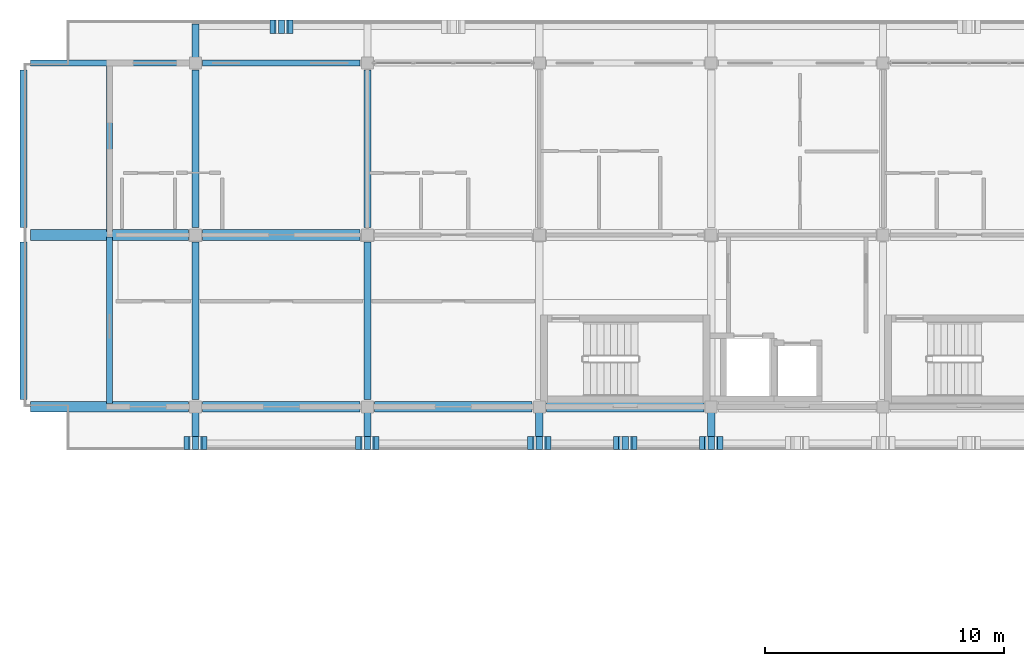
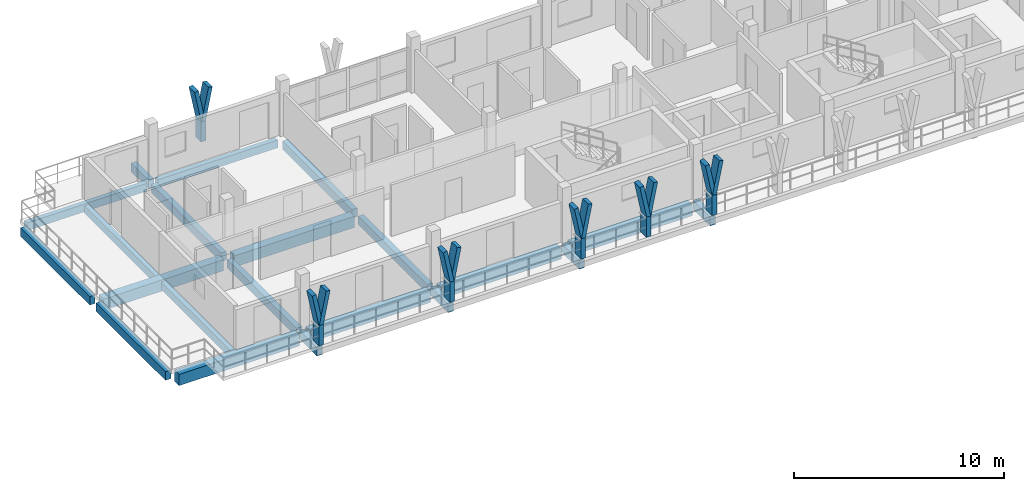
# One storey, part 6 of 45: 21 beams, 18 members.
"""IFC4 building model written with IfcOpenShell, lengths in metres."""

from ifc_helpers import new_model, si_unit, direction, frame, origin, origin_2d, place, context, subcontext, project, spatial, rectangle, extrude, material, material_profile, profile_set, type_object, element, save


model = new_model("IFC4")

# Units and contexts
model_context = context("Model", 3, precision=1e-05, world=origin(), true_north=direction((0.0, 1.0)))
body_context = subcontext(model_context, "Body", "Model", "MODEL_VIEW")
ifc_project = project(units=[si_unit("LENGTHUNIT", "METRE"), si_unit("AREAUNIT", "SQUARE_METRE"), si_unit("VOLUMEUNIT", "CUBIC_METRE"), si_unit("PLANEANGLEUNIT", "RADIAN"), si_unit("MASSUNIT", "GRAM", prefix="KILO")], contexts=[model_context])

# Site, building, storey
site_placement = place(None, origin())
site = spatial("IfcSite", under=ifc_project, at=site_placement, CompositionType="ELEMENT")
building_placement = place(site_placement, origin())
building = spatial("IfcBuilding", under=site, at=building_placement, Name="Suanplinth Sawtooth Commons", CompositionType="ELEMENT")
storey_placement = place(building_placement, frame((0.0, 0.0, 38.0)))
storey = spatial("IfcBuildingStorey", under=building, at=storey_placement, Name="L11", CompositionType="ELEMENT", Elevation=38.0)

# Beams
ifc_material_1 = material(Name="Precast concrete C40/50", Category="concrete")
ifc_material_profile_1 = material_profile(ifc_material_1, rectangle(XDim=0.449951171875, YDim=0.64990234375, at=origin_2d()), Name="PC-GDR 450x650")
ifc_profile_set_1 = profile_set([ifc_material_profile_1], Name="Precast concrete C40/50")
beam_type_1 = type_object("IfcBeamType", Name="B-04", PredefinedType="USERDEFINED", material=ifc_profile_set_1)
for number, where, z_axis, x_axis, name in (
    (1, (21.89990234375, 108.0, -0.56494140625), (1.0, 0.0, 0.0), (0.0, 1.0, 0.0), "BMX-L11-A-3-15"),
    (2, (21.89990234375, 115.199951171875, -0.56494140625), (1.0, 0.0, 0.0), (0.0, 1.0, 0.0), "BMX-L11-A-3-16"),
):
    element("IfcBeam", number, at=place(storey_placement, frame(where, z_axis=z_axis, x_axis=x_axis)), inside=storey, type_object=beam_type_1, Name=name, ObjectType="GIRDER", PredefinedType="USERDEFINED", context=body_context, shape_type="SweptSolid", body=[
        extrude(rectangle(XDim=0.449951171875, YDim=0.64990234375, at=origin_2d()), origin(), (0.0, 0.0, 1.0), 6.60009765625),
    ])
for number, where, z_axis, x_axis, name in (
    (3, (29.10009765625, 108.0, -0.56494140625), (1.0, 0.0, 0.0), (0.0, 1.0, 0.0), "BMX-L11-A-4-15"),
    (4, (29.10009765625, 115.199951171875, -0.56494140625), (1.0, 0.0, 0.0), (0.0, 1.0, 0.0), "BMX-L11-A-4-16"),
    (5, (36.300048828125, 108.0, -0.56494140625), (1.0, 0.0, 0.0), (0.0, 1.0, 0.0), "BMX-L11-A-5-15"),
):
    element("IfcBeam", number, at=place(storey_placement, frame(where, z_axis=z_axis, x_axis=x_axis)), inside=storey, type_object=beam_type_1, Name=name, ObjectType="GIRDER", PredefinedType="USERDEFINED", context=body_context, shape_type="SweptSolid", body=[
        extrude(rectangle(XDim=0.449951171875, YDim=0.64990234375, at=origin_2d()), origin(), (0.0, 0.0, 1.0), 6.599853515625),
    ])
beam_1_placement = place(storey_placement, frame((43.5, 108.0, -0.56494140625), z_axis=(1.0, 0.0, 0.0), x_axis=(0.0, 1.0, 0.0)))
element("IfcBeam", 6, at=beam_1_placement, inside=storey, type_object=beam_type_1, Name="BMX-L11-A-6-15", ObjectType="GIRDER", PredefinedType="USERDEFINED", context=body_context, shape_type="SweptSolid", body=[
    extrude(rectangle(XDim=0.449951171875, YDim=0.64990234375, at=origin_2d()), origin(), (0.0, 0.0, 1.0), 6.60009765625),
])
ifc_material_profile_2 = material_profile(ifc_material_1, rectangle(XDim=0.300048828125, YDim=0.5, at=origin_2d()), Name="PC-BM 300x500")
ifc_profile_set_2 = profile_set([ifc_material_profile_2], Name="Precast concrete C40/50")
beam_type_2 = type_object("IfcBeamType", Name="B-07", PredefinedType="BEAM", material=ifc_profile_set_2)
beam_2_placement = place(storey_placement, frame((21.60009765625, 108.300048828125, -0.489990234375), z_axis=(0.0, 1.0, 0.0), x_axis=(-1.0, 0.0, 0.0)))
element("IfcBeam", 7, at=beam_2_placement, inside=storey, type_object=beam_type_2, Name="BMY-L11-A-3-15", PredefinedType="BEAM", context=body_context, shape_type="SweptSolid", body=[
    extrude(rectangle(XDim=0.300048828125, YDim=0.5, at=origin_2d()), origin(), (0.0, 0.0, 1.0), 6.599853515625),
])
beam_3_placement = place(storey_placement, frame((21.60009765625, 115.5, -0.489990234375), z_axis=(0.0, 1.0, 0.0), x_axis=(-1.0, 0.0, 0.0)))
element("IfcBeam", 8, at=beam_3_placement, inside=storey, type_object=beam_type_2, Name="BMY-L11-A-3-16", PredefinedType="BEAM", context=body_context, shape_type="SweptSolid", body=[
    extrude(rectangle(XDim=0.300048828125, YDim=0.5, at=origin_2d()), origin(), (0.0, 0.0, 1.0), 6.60009765625),
])
beam_4_placement = place(storey_placement, frame((28.800048828125, 108.300048828125, -0.489990234375), z_axis=(0.0, 1.0, 0.0), x_axis=(-1.0, 0.0, 0.0)))
element("IfcBeam", 9, at=beam_4_placement, inside=storey, type_object=beam_type_2, Name="BMY-L11-A-4-15", PredefinedType="BEAM", context=body_context, shape_type="SweptSolid", body=[
    extrude(rectangle(XDim=0.300048828125, YDim=0.5, at=origin_2d()), origin(), (0.0, 0.0, 1.0), 6.599853515625),
])
beam_5_placement = place(storey_placement, frame((28.800048828125, 115.5, -0.489990234375), z_axis=(0.0, 1.0, 0.0), x_axis=(-1.0, 0.0, 0.0)))
element("IfcBeam", 10, at=beam_5_placement, inside=storey, type_object=beam_type_2, Name="BMY-L11-A-4-16", PredefinedType="BEAM", context=body_context, shape_type="SweptSolid", body=[
    extrude(rectangle(XDim=0.300048828125, YDim=0.5, at=origin_2d()), origin(), (0.0, 0.0, 1.0), 6.60009765625),
])
beam_6_placement = place(storey_placement, frame((36.0, 108.300048828125, -0.489990234375), z_axis=(0.0, 1.0, 0.0), x_axis=(-1.0, 0.0, 0.0)))
element("IfcBeam", 11, at=beam_6_placement, inside=storey, type_object=beam_type_2, Name="BMY-L11-A-5-15", PredefinedType="BEAM", context=body_context, shape_type="SweptSolid", body=[
    extrude(rectangle(XDim=0.300048828125, YDim=0.5, at=origin_2d()), origin(), (0.0, 0.0, 1.0), 6.599853515625),
])
beam_7_placement = place(storey_placement, frame((36.0, 115.5, -0.489990234375), z_axis=(0.0, 1.0, 0.0), x_axis=(-1.0, 0.0, 0.0)))
element("IfcBeam", 12, at=beam_7_placement, inside=storey, type_object=beam_type_2, Name="BMY-L11-A-5-16", PredefinedType="BEAM", context=body_context, shape_type="SweptSolid", body=[
    extrude(rectangle(XDim=0.300048828125, YDim=0.5, at=origin_2d()), origin(), (0.0, 0.0, 1.0), 6.60009765625),
])
beam_8_placement = place(storey_placement, frame((28.800048828125, 122.39990234375, -0.429931640625), z_axis=(0.0, 1.0, 0.0), x_axis=(-1.0, 0.0, 0.0)))
element("IfcBeam", 13, at=beam_8_placement, inside=storey, type_object=beam_type_2, Name="Balcony Outrigger L11-A-N-4", PredefinedType="BEAM", context=body_context, shape_type="SweptSolid", body=[
    extrude(rectangle(XDim=0.300048828125, YDim=0.5, at=origin_2d()), origin(), (0.0, 0.0, 1.0), 1.64013671875),
])
for number, where, z_axis, x_axis, name in (
    (14, (28.800048828125, 108.0, -0.429931640625), (0.0, -1.0, 0.0), (1.0, 0.0, 0.0), "Balcony Outrigger L11-A-S-4"),
    (15, (36.0, 108.0, -0.429931640625), (0.0, -1.0, 0.0), (1.0, 0.0, 0.0), "Balcony Outrigger L11-A-S-5"),
    (16, (43.199951171875, 108.0, -0.429931640625), (0.0, -1.0, 0.0), (1.0, 0.0, 0.0), "Balcony Outrigger L11-A-S-6"),
    (17, (50.39990234375, 108.0, -0.429931640625), (0.0, -1.0, 0.0), (1.0, 0.0, 0.0), "Balcony Outrigger L11-A-S-7"),
):
    element("IfcBeam", number, at=place(storey_placement, frame(where, z_axis=z_axis, x_axis=x_axis)), inside=storey, type_object=beam_type_2, Name=name, PredefinedType="BEAM", context=body_context, shape_type="SweptSolid", body=[
        extrude(rectangle(XDim=0.300048828125, YDim=0.5, at=origin_2d()), origin(), (0.0, 0.0, 1.0), 1.639892578125),
    ])
ifc_material_profile_3 = material_profile(ifc_material_1, rectangle(XDim=0.25, YDim=0.449951171875, at=origin_2d()), Name="PC-SP 250x450")
ifc_profile_set_3 = profile_set([ifc_material_profile_3], Name="Precast concrete C40/50")
beam_type_3 = type_object("IfcBeamType", Name="B-09", PredefinedType="SPANDREL", material=ifc_profile_set_3)
beam_9_placement = place(storey_placement, frame((21.89990234375, 122.39990234375, -0.465087890625), z_axis=(1.0, 0.0, 0.0), x_axis=(0.0, 1.0, 0.0)))
element("IfcBeam", 18, at=beam_9_placement, inside=storey, type_object=beam_type_3, Name="BMX-L11-A-3-17", PredefinedType="SPANDREL", context=body_context, shape_type="SweptSolid", body=[
    extrude(rectangle(XDim=0.25, YDim=0.449951171875, at=origin_2d()), origin(), (0.0, 0.0, 1.0), 6.60009765625),
])
beam_10_placement = place(storey_placement, frame((29.10009765625, 122.39990234375, -0.465087890625), z_axis=(1.0, 0.0, 0.0), x_axis=(0.0, 1.0, 0.0)))
element("IfcBeam", 19, at=beam_10_placement, inside=storey, type_object=beam_type_3, Name="BMX-L11-A-4-17", PredefinedType="SPANDREL", context=body_context, shape_type="SweptSolid", body=[
    extrude(rectangle(XDim=0.25, YDim=0.449951171875, at=origin_2d()), origin(), (0.0, 0.0, 1.0), 6.599853515625),
])
beam_11_placement = place(storey_placement, frame((25.199951171875, 108.139892578125, -0.56494140625), z_axis=(0.0, 1.0, 0.0), x_axis=(-1.0, 0.0, 0.0)))
element("IfcBeam", 20, at=beam_11_placement, inside=storey, type_object=beam_type_3, Name="BMY-L11-A-STEP-252-15", PredefinedType="SPANDREL", context=body_context, shape_type="SweptSolid", body=[
    extrude(rectangle(XDim=0.25, YDim=0.449951171875, at=origin_2d()), origin(), (0.0, 0.0, 1.0), 6.980224609375),
])
beam_12_placement = place(storey_placement, frame((25.199951171875, 115.340087890625, -0.56494140625), z_axis=(0.0, 1.0, 0.0), x_axis=(-1.0, 0.0, 0.0)))
element("IfcBeam", 21, at=beam_12_placement, inside=storey, type_object=beam_type_3, Name="BMY-L11-A-STEP-252-16", PredefinedType="SPANDREL", context=body_context, shape_type="SweptSolid", body=[
    extrude(rectangle(XDim=0.25, YDim=0.449951171875, at=origin_2d()), origin(), (0.0, 0.0, 1.0), 6.97998046875),
])

# Members
ifc_material_2 = material(Name="Pigmented precast concrete C40/50", Category="concrete")
ifc_material_profile_4 = material_profile(ifc_material_2, rectangle(XDim=0.260009765625, YDim=0.550048828125, at=origin_2d()), Name="PC-FIN 260x550")
ifc_profile_set_4 = profile_set([ifc_material_profile_4], Name="Pigmented precast concrete C40/50")
member_type_1 = type_object("IfcMemberType", Name="M-09", PredefinedType="USERDEFINED", material=ifc_profile_set_4)
for number, where, z_axis, x_axis, name in (
    (22, (32.39990234375, 123.919921875, 0.0), (0.0, 0.0, 1.0), (1.0, 0.0, 0.0), "Y-Blade Stem L11-A-N-01"),
    (23, (28.800048828125, 106.47998046875, 0.0), (0.0, 0.0, 1.0), (1.0, 0.0, 0.0), "Y-Blade Stem L11-A-S-06"),
    (24, (36.0, 106.47998046875, 0.0), (0.0, 0.0, 1.0), (1.0, 0.0, 0.0), "Y-Blade Stem L11-A-S-07"),
    (25, (43.199951171875, 106.47998046875, 0.0), (0.0, 0.0, 1.0), (1.0, 0.0, 0.0), "Y-Blade Stem L11-A-S-08"),
    (26, (46.800048828125, 106.47998046875, 0.0), (0.0, 0.0, 1.0), (1.0, 0.0, 0.0), "Y-Blade Stem L11-A-S-09"),
    (27, (50.39990234375, 106.47998046875, 0.0), (0.0, 0.0, 1.0), (1.0, 0.0, 0.0), "Y-Blade Stem L11-A-S-10"),
):
    element("IfcMember", number, at=place(storey_placement, frame(where, z_axis=z_axis, x_axis=x_axis)), inside=storey, type_object=member_type_1, Name=name, ObjectType="SHADING FIN", PredefinedType="USERDEFINED", context=body_context, shape_type="SweptSolid", body=[
        extrude(rectangle(XDim=0.260009765625, YDim=0.550048828125, at=origin_2d()), origin(), (0.0, 0.0, 1.0), 1.169921875),
    ])
ifc_material_profile_5 = material_profile(ifc_material_2, rectangle(XDim=0.219970703125, YDim=0.550048828125, at=origin_2d()), Name="PC-FIN 220x550")
ifc_profile_set_5 = profile_set([ifc_material_profile_5], Name="Pigmented precast concrete C40/50")
member_type_2 = type_object("IfcMemberType", Name="M-10", PredefinedType="USERDEFINED", material=ifc_profile_set_5)
member_1_placement = place(storey_placement, frame((32.39990234375, 123.919921875, 1.1298828125), z_axis=(-0.196285728346, 0.0, 0.980546741796), x_axis=(0.980546741796, 0.0, 0.196285728346)))
element("IfcMember", 28, at=member_1_placement, inside=storey, type_object=member_type_2, Name="Y-Blade Arm L L11-A-N-01", ObjectType="SHADING FIN", PredefinedType="USERDEFINED", context=body_context, shape_type="SweptSolid", body=[
    extrude(rectangle(XDim=0.219970703125, YDim=0.550048828125, at=origin_2d()), origin(), (0.0, 0.0, 1.0), 1.937744140625),
])
for number, where, z_axis, x_axis, name in (
    (29, (32.39990234375, 123.919921875, 1.1298828125), (0.196406855569, 0.0, 0.980522486782), (-0.980522486782, 0.0, 0.196406855569), "Y-Blade Arm R L11-A-N-01"),
    (30, (28.800048828125, 106.47998046875, 1.1298828125), (-0.196406855569, 0.0, 0.980522486782), (0.980522486782, 0.0, 0.196406855569), "Y-Blade Arm L L11-A-S-06"),
):
    element("IfcMember", number, at=place(storey_placement, frame(where, z_axis=z_axis, x_axis=x_axis)), inside=storey, type_object=member_type_2, Name=name, ObjectType="SHADING FIN", PredefinedType="USERDEFINED", context=body_context, shape_type="SweptSolid", body=[
        extrude(rectangle(XDim=0.219970703125, YDim=0.550048828125, at=origin_2d()), origin(), (0.0, 0.0, 1.0), 1.93798828125),
    ])
member_2_placement = place(storey_placement, frame((28.800048828125, 106.47998046875, 1.1298828125), z_axis=(0.196285728346, 0.0, 0.980546741796), x_axis=(-0.980546741796, 0.0, 0.196285728346)))
element("IfcMember", 31, at=member_2_placement, inside=storey, type_object=member_type_2, Name="Y-Blade Arm R L11-A-S-06", ObjectType="SHADING FIN", PredefinedType="USERDEFINED", context=body_context, shape_type="SweptSolid", body=[
    extrude(rectangle(XDim=0.219970703125, YDim=0.550048828125, at=origin_2d()), origin(), (0.0, 0.0, 1.0), 1.937744140625),
])
for number, where, z_axis, x_axis, name in (
    (32, (36.0, 106.47998046875, 1.1298828125), (-0.196406855569, 0.0, 0.980522486782), (0.980522486782, 0.0, 0.196406855569), "Y-Blade Arm L L11-A-S-07"),
    (33, (36.0, 106.47998046875, 1.1298828125), (0.196406855569, 0.0, 0.980522486782), (-0.980522486782, 0.0, 0.196406855569), "Y-Blade Arm R L11-A-S-07"),
):
    element("IfcMember", number, at=place(storey_placement, frame(where, z_axis=z_axis, x_axis=x_axis)), inside=storey, type_object=member_type_2, Name=name, ObjectType="SHADING FIN", PredefinedType="USERDEFINED", context=body_context, shape_type="SweptSolid", body=[
        extrude(rectangle(XDim=0.219970703125, YDim=0.550048828125, at=origin_2d()), origin(), (0.0, 0.0, 1.0), 1.93798828125),
    ])
member_3_placement = place(storey_placement, frame((43.199951171875, 106.47998046875, 1.1298828125), z_axis=(-0.196285728346, 0.0, 0.980546741796), x_axis=(0.980546741796, 0.0, 0.196285728346)))
element("IfcMember", 34, at=member_3_placement, inside=storey, type_object=member_type_2, Name="Y-Blade Arm L L11-A-S-08", ObjectType="SHADING FIN", PredefinedType="USERDEFINED", context=body_context, shape_type="SweptSolid", body=[
    extrude(rectangle(XDim=0.219970703125, YDim=0.550048828125, at=origin_2d()), origin(), (0.0, 0.0, 1.0), 1.937744140625),
])
for number, where, z_axis, x_axis, name in (
    (35, (43.199951171875, 106.47998046875, 1.1298828125), (0.196406855569, 0.0, 0.980522486782), (-0.980522486782, 0.0, 0.196406855569), "Y-Blade Arm R L11-A-S-08"),
    (36, (46.800048828125, 106.47998046875, 1.1298828125), (-0.196406855569, 0.0, 0.980522486782), (0.980522486782, 0.0, 0.196406855569), "Y-Blade Arm L L11-A-S-09"),
):
    element("IfcMember", number, at=place(storey_placement, frame(where, z_axis=z_axis, x_axis=x_axis)), inside=storey, type_object=member_type_2, Name=name, ObjectType="SHADING FIN", PredefinedType="USERDEFINED", context=body_context, shape_type="SweptSolid", body=[
        extrude(rectangle(XDim=0.219970703125, YDim=0.550048828125, at=origin_2d()), origin(), (0.0, 0.0, 1.0), 1.93798828125),
    ])
for number, where, z_axis, x_axis, name in (
    (37, (46.800048828125, 106.47998046875, 1.1298828125), (0.196285728346, 0.0, 0.980546741796), (-0.980546741796, 0.0, 0.196285728346), "Y-Blade Arm R L11-A-S-09"),
    (38, (50.39990234375, 106.47998046875, 1.1298828125), (-0.196285728346, 0.0, 0.980546741796), (0.980546741796, 0.0, 0.196285728346), "Y-Blade Arm L L11-A-S-10"),
):
    element("IfcMember", number, at=place(storey_placement, frame(where, z_axis=z_axis, x_axis=x_axis)), inside=storey, type_object=member_type_2, Name=name, ObjectType="SHADING FIN", PredefinedType="USERDEFINED", context=body_context, shape_type="SweptSolid", body=[
        extrude(rectangle(XDim=0.219970703125, YDim=0.550048828125, at=origin_2d()), origin(), (0.0, 0.0, 1.0), 1.937744140625),
    ])
member_4_placement = place(storey_placement, frame((50.39990234375, 106.47998046875, 1.1298828125), z_axis=(0.196406855569, 0.0, 0.980522486782), x_axis=(-0.980522486782, 0.0, 0.196406855569)))
element("IfcMember", 39, at=member_4_placement, inside=storey, type_object=member_type_2, Name="Y-Blade Arm R L11-A-S-10", ObjectType="SHADING FIN", PredefinedType="USERDEFINED", context=body_context, shape_type="SweptSolid", body=[
    extrude(rectangle(XDim=0.219970703125, YDim=0.550048828125, at=origin_2d()), origin(), (0.0, 0.0, 1.0), 1.93798828125),
])

save(model, "model.ifc")
